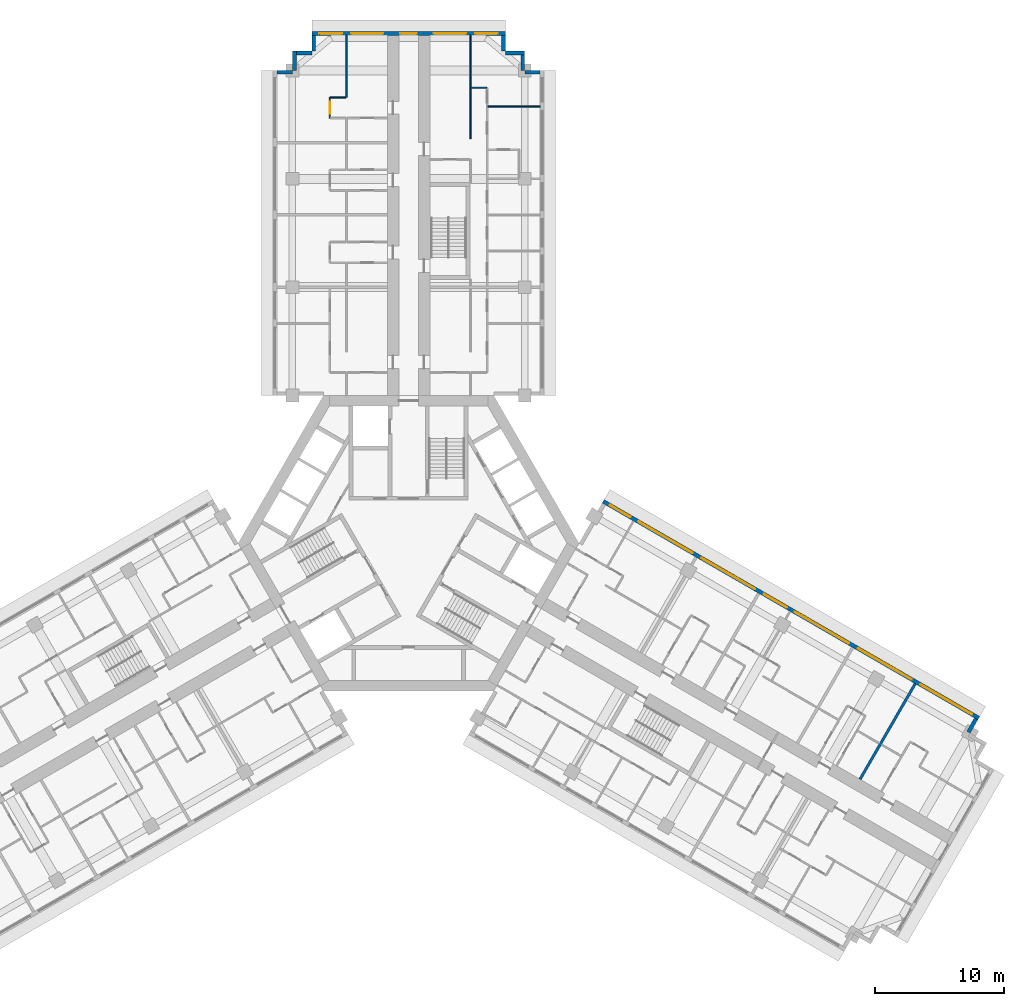
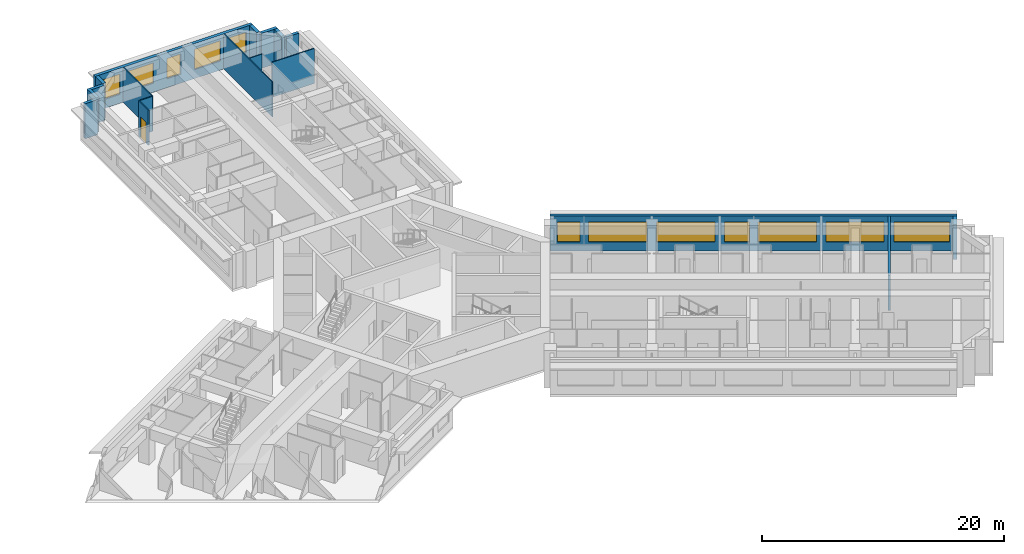
# One storey, part 13 of 15: 18 walls, 12 windows, 1 door, 13 openings.
"""IFC4 building model written with IfcOpenShell, lengths in metres."""

from ifc_helpers import new_model, si_unit, direction, frame, frame_2d, origin, place, context, subcontext, project, spatial, rectangle, extrude, material, layer, layer_set, type_object, element, fill, save


model = new_model("IFC4")

# Units and contexts
model_context = context("Model", 3, precision=1e-05, world=origin(), true_north=direction((0.0, 1.0)))
body_context = subcontext(model_context, "Body", "Model", "MODEL_VIEW")
ifc_project = project(units=[si_unit("LENGTHUNIT", "METRE"), si_unit("AREAUNIT", "SQUARE_METRE"), si_unit("VOLUMEUNIT", "CUBIC_METRE"), si_unit("PLANEANGLEUNIT", "RADIAN"), si_unit("MASSUNIT", "GRAM", prefix="KILO")], contexts=[model_context])

# Site, building, storey
site_placement = place(None, origin())
site = spatial("IfcSite", under=ifc_project, at=site_placement, CompositionType="ELEMENT")
building_placement = place(site_placement, origin())
building = spatial("IfcBuilding", under=site, at=building_placement, Name="Impinga Residences", CompositionType="ELEMENT")
storey_placement = place(building_placement, frame((0.0, 0.0, 113.5)))
storey = spatial("IfcBuildingStorey", under=building, at=storey_placement, Name="L27", CompositionType="ELEMENT", Elevation=113.5)

# Walls
ifc_material_1 = material(Name="Terracotta rainscreen on blockwork", Category="masonry")
ifc_layer_1 = layer(ifc_material_1, 0.300048828125)
ifc_layer_set_1 = layer_set([ifc_layer_1], Name="EW1 external wall, terracotta rainscreen on blockwork 300")
wall_type_1 = type_object("IfcWallType", Name="EW1 external wall, terracotta rainscreen on blockwork 300", PredefinedType="SOLIDWALL", material=ifc_layer_set_1)
wall_1_placement = place(storey_placement, frame((-10.199951171875, 36.4814453125, 0.0), z_axis=(0.0, 0.0, 1.0), x_axis=(1.0, 0.0, 0.0)))
element("IfcWall", 1, at=wall_1_placement, inside=storey, type_object=wall_type_1, Name="External wall EW1 L27", PredefinedType="SOLIDWALL", context=body_context, shape_type="SweptSolid", body=[
    extrude(rectangle(XDim=1.199951171875, YDim=0.300048828125, at=frame_2d((0.60009765625, 0.0))), origin(), (0.0, 0.0, 1.0), 3.530029296875),
])
wall_2_placement = place(storey_placement, frame((-8.85009765625, 36.636474609375, 0.0), z_axis=(0.0, 0.0, 1.0), x_axis=(0.0, 1.0, 0.0)))
element("IfcWall", 2, at=wall_2_placement, inside=storey, type_object=wall_type_1, Name="External wall EW1 L27", PredefinedType="SOLIDWALL", context=body_context, shape_type="SweptSolid", body=[
    extrude(rectangle(XDim=1.4951171875, YDim=0.300048828125, at=frame_2d((0.74755859375, 0.0))), origin(), (0.0, 0.0, 1.0), 3.530029296875),
])
wall_3_placement = place(storey_placement, frame((-8.699951171875, 37.9814453125, 0.0), z_axis=(0.0, 0.0, 1.0), x_axis=(1.0, 0.0, 0.0)))
element("IfcWall", 3, at=wall_3_placement, inside=storey, type_object=wall_type_1, Name="External wall EW1 L27", PredefinedType="SOLIDWALL", context=body_context, shape_type="SweptSolid", body=[
    extrude(rectangle(XDim=1.199951171875, YDim=0.300048828125, at=frame_2d((0.60009765625, 0.0))), origin(), (0.0, 0.0, 1.0), 3.530029296875),
])
wall_4_placement = place(storey_placement, frame((-7.35009765625, 38.136474609375, 0.0), z_axis=(0.0, 0.0, 1.0), x_axis=(0.0, 1.0, 0.0)))
element("IfcWall", 4, at=wall_4_placement, inside=storey, type_object=wall_type_1, Name="External wall EW1 L27", PredefinedType="SOLIDWALL", context=body_context, shape_type="SweptSolid", body=[
    extrude(rectangle(XDim=1.195068359375, YDim=0.300048828125, at=frame_2d((0.59765625, 0.0))), origin(), (0.0, 0.0, 1.0), 3.530029296875),
])

# Wall, openings, windows
wall_5_placement = place(storey_placement, frame((-7.5, 39.4814453125, 0.0), z_axis=(0.0, 0.0, 1.0), x_axis=(1.0, 0.0, 0.0)))
wall_5 = element("IfcWall", 5, at=wall_5_placement, inside=storey, type_object=wall_type_1, Name="External wall EW1 L27", PredefinedType="SOLIDWALL", context=body_context, shape_type="SweptSolid", body=[
    extrude(rectangle(XDim=15.0, YDim=0.300048828125, at=frame_2d((7.5, 0.0))), origin(), (0.0, 0.0, 1.0), 3.530029296875),
])
opening_1_placement = place(wall_5_placement, frame((0.60009765625, 0.0, 0.89990234375)))
opening_1 = element("IfcOpeningElement", 6, at=opening_1_placement, cuts=wall_5, Name="Opening W1", PredefinedType="OPENING", context=body_context, shape_type="SweptSolid", body=[
    extrude(rectangle(XDim=1.75, YDim=2.050048828125, at=frame_2d((0.875, 1.02490234375))), frame((0.0, 0.159912109375, 0.0), z_axis=(0.0, -1.0, 0.0), x_axis=(1.0, 0.0, 0.0)), (0.0, 0.0, 1.0), 0.320068359375),
])
opening_2_placement = place(wall_5_placement, frame((3.050048828125, 0.0, 0.89990234375)))
opening_2 = element("IfcOpeningElement", 7, at=opening_2_placement, cuts=wall_5, Name="Opening W2", PredefinedType="OPENING", context=body_context, shape_type="SweptSolid", body=[
    extrude(rectangle(XDim=2.5, YDim=2.050048828125, at=frame_2d((1.25, 1.02490234375))), frame((0.0, 0.159912109375, 0.0), z_axis=(0.0, -1.0, 0.0), x_axis=(1.0, 0.0, 0.0)), (0.0, 0.0, 1.0), 0.320068359375),
])
opening_3_placement = place(wall_5_placement, frame((6.85009765625, 0.0, 0.89990234375)))
opening_3 = element("IfcOpeningElement", 8, at=opening_3_placement, cuts=wall_5, Name="Opening WE1", PredefinedType="OPENING", context=body_context, shape_type="SweptSolid", body=[
    extrude(rectangle(XDim=1.300048828125, YDim=2.050048828125, at=frame_2d((0.64990234375, 1.02490234375))), frame((0.0, 0.159912109375, 0.0), z_axis=(0.0, -1.0, 0.0), x_axis=(1.0, 0.0, 0.0)), (0.0, 0.0, 1.0), 0.320068359375),
])
opening_4_placement = place(wall_5_placement, frame((9.449951171875, 0.0, 0.89990234375)))
opening_4 = element("IfcOpeningElement", 9, at=opening_4_placement, cuts=wall_5, Name="Opening W2", PredefinedType="OPENING", context=body_context, shape_type="SweptSolid", body=[
    extrude(rectangle(XDim=2.5, YDim=2.050048828125, at=frame_2d((1.25, 1.02490234375))), frame((0.0, 0.159912109375, 0.0), z_axis=(0.0, -1.0, 0.0), x_axis=(1.0, 0.0, 0.0)), (0.0, 0.0, 1.0), 0.320068359375),
])
opening_5_placement = place(wall_5_placement, frame((12.64990234375, 0.0, 0.89990234375)))
opening_5 = element("IfcOpeningElement", 10, at=opening_5_placement, cuts=wall_5, Name="Opening W1", PredefinedType="OPENING", context=body_context, shape_type="SweptSolid", body=[
    extrude(rectangle(XDim=1.75, YDim=2.050048828125, at=frame_2d((0.875, 1.02490234375))), frame((0.0, 0.159912109375, 0.0), z_axis=(0.0, -1.0, 0.0), x_axis=(1.0, 0.0, 0.0)), (0.0, 0.0, 1.0), 0.320068359375),
])
ifc_material_2 = material(Name="Aluminium window, clear double glazing", Category="aluminium")
window_type_1 = type_object("IfcWindowType", Name="W1 ribbon window 1750x2050", PartitioningType="SINGLE_PANEL", PredefinedType="WINDOW", material=ifc_material_2)
window_1_placement = place(opening_1_placement, origin())
window_1 = element("IfcWindow", 11, at=window_1_placement, inside=storey, type_object=window_type_1, Name="Window L27", OverallHeight=2.050048828125, OverallWidth=1.75, PartitioningType="SINGLE_PANEL", PredefinedType="WINDOW", context=body_context, shape_type="SweptSolid", body=[
    extrude(rectangle(XDim=1.75, YDim=2.050048828125, at=frame_2d((0.875, 1.02490234375))), frame((0.0, 0.030029296875, 0.0), z_axis=(0.0, -1.0, 0.0), x_axis=(1.0, 0.0, 0.0)), (0.0, 0.0, 1.0), 0.06005859375),
])
fill(opening_1, window_1)
window_2_placement = place(opening_5_placement, origin())
window_2 = element("IfcWindow", 12, at=window_2_placement, inside=storey, type_object=window_type_1, Name="Window L27", OverallHeight=2.050048828125, OverallWidth=1.75, PartitioningType="SINGLE_PANEL", PredefinedType="WINDOW", context=body_context, shape_type="SweptSolid", body=[
    extrude(rectangle(XDim=1.75, YDim=2.050048828125, at=frame_2d((0.875, 1.02490234375))), frame((0.0, 0.030029296875, 0.0), z_axis=(0.0, -1.0, 0.0), x_axis=(1.0, 0.0, 0.0)), (0.0, 0.0, 1.0), 0.06005859375),
])
fill(opening_5, window_2)
window_type_2 = type_object("IfcWindowType", Name="W2 ribbon window 2500x2050", PartitioningType="SINGLE_PANEL", PredefinedType="WINDOW", material=ifc_material_2)
window_3_placement = place(opening_2_placement, origin())
window_3 = element("IfcWindow", 13, at=window_3_placement, inside=storey, type_object=window_type_2, Name="Window L27", OverallHeight=2.050048828125, OverallWidth=2.5, PartitioningType="SINGLE_PANEL", PredefinedType="WINDOW", context=body_context, shape_type="SweptSolid", body=[
    extrude(rectangle(XDim=2.5, YDim=2.050048828125, at=frame_2d((1.25, 1.02490234375))), frame((0.0, 0.030029296875, 0.0), z_axis=(0.0, -1.0, 0.0), x_axis=(1.0, 0.0, 0.0)), (0.0, 0.0, 1.0), 0.06005859375),
])
fill(opening_2, window_3)
window_4_placement = place(opening_4_placement, origin())
window_4 = element("IfcWindow", 14, at=window_4_placement, inside=storey, type_object=window_type_2, Name="Window L27", OverallHeight=2.050048828125, OverallWidth=2.5, PartitioningType="SINGLE_PANEL", PredefinedType="WINDOW", context=body_context, shape_type="SweptSolid", body=[
    extrude(rectangle(XDim=2.5, YDim=2.050048828125, at=frame_2d((1.25, 1.02490234375))), frame((0.0, 0.030029296875, 0.0), z_axis=(0.0, -1.0, 0.0), x_axis=(1.0, 0.0, 0.0)), (0.0, 0.0, 1.0), 0.06005859375),
])
fill(opening_4, window_4)
window_type_3 = type_object("IfcWindowType", Name="WE1 corridor window 1300x2050", PartitioningType="SINGLE_PANEL", PredefinedType="WINDOW", material=ifc_material_2)
window_5_placement = place(opening_3_placement, origin())
window_5 = element("IfcWindow", 15, at=window_5_placement, inside=storey, type_object=window_type_3, Name="Window L27", OverallHeight=2.050048828125, OverallWidth=1.300048828125, PartitioningType="SINGLE_PANEL", PredefinedType="WINDOW", context=body_context, shape_type="SweptSolid", body=[
    extrude(rectangle(XDim=1.300048828125, YDim=2.050048828125, at=frame_2d((0.64990234375, 1.02490234375))), frame((0.0, 0.030029296875, 0.0), z_axis=(0.0, -1.0, 0.0), x_axis=(1.0, 0.0, 0.0)), (0.0, 0.0, 1.0), 0.06005859375),
])
fill(opening_3, window_5)

# Walls
wall_6_placement = place(storey_placement, frame((7.35009765625, 39.33154296875, 0.0), z_axis=(0.0, 0.0, 1.0), x_axis=(0.0, -1.0, 0.0)))
element("IfcWall", 16, at=wall_6_placement, inside=storey, type_object=wall_type_1, Name="External wall EW1 L27", PredefinedType="SOLIDWALL", context=body_context, shape_type="SweptSolid", body=[
    extrude(rectangle(XDim=1.195068359375, YDim=0.300048828125, at=frame_2d((0.59765625, 0.0))), origin(), (0.0, 0.0, 1.0), 3.530029296875),
])
wall_7_placement = place(storey_placement, frame((7.5, 37.9814453125, 0.0), z_axis=(0.0, 0.0, 1.0), x_axis=(1.0, 0.0, 0.0)))
element("IfcWall", 17, at=wall_7_placement, inside=storey, type_object=wall_type_1, Name="External wall EW1 L27", PredefinedType="SOLIDWALL", context=body_context, shape_type="SweptSolid", body=[
    extrude(rectangle(XDim=1.5, YDim=0.300048828125, at=frame_2d((0.75, 0.0))), origin(), (0.0, 0.0, 1.0), 3.530029296875),
])
wall_8_placement = place(storey_placement, frame((8.85009765625, 37.83154296875, 0.0), z_axis=(0.0, 0.0, 1.0), x_axis=(0.0, -1.0, 0.0)))
element("IfcWall", 18, at=wall_8_placement, inside=storey, type_object=wall_type_1, Name="External wall EW1 L27", PredefinedType="SOLIDWALL", context=body_context, shape_type="SweptSolid", body=[
    extrude(rectangle(XDim=1.199951171875, YDim=0.300048828125, at=frame_2d((0.60009765625, 0.0))), origin(), (0.0, 0.0, 1.0), 3.530029296875),
])
wall_9_placement = place(storey_placement, frame((9.0048828125, 36.4814453125, 0.0), z_axis=(0.0, 0.0, 1.0), x_axis=(1.0, 0.0, 0.0)))
element("IfcWall", 19, at=wall_9_placement, inside=storey, type_object=wall_type_1, Name="External wall EW1 L27", PredefinedType="SOLIDWALL", context=body_context, shape_type="SweptSolid", body=[
    extrude(rectangle(XDim=1.195068359375, YDim=0.300048828125, at=frame_2d((0.59765625, 0.0))), origin(), (0.0, 0.0, 1.0), 3.530029296875),
])

# Wall, openings, windows
wall_10_placement = place(storey_placement, frame((15.074951171875, 3.24755859375, 0.0), z_axis=(0.0, 0.0, 1.0), x_axis=(0.866024291668, -0.500001926238, 0.0)))
wall_10 = element("IfcWall", 20, at=wall_10_placement, inside=storey, type_object=wall_type_1, Name="External wall EW1 L27", PredefinedType="SOLIDWALL", context=body_context, shape_type="SweptSolid", body=[
    extrude(rectangle(XDim=33.599853515625, YDim=0.300048828125, at=frame_2d((16.7998046875, 0.0))), origin(), (0.0, 0.0, 1.0), 3.530029296875),
])
opening_6_placement = place(wall_10_placement, frame((0.60009765625, 0.0, 0.89990234375)))
opening_6 = element("IfcOpeningElement", 21, at=opening_6_placement, cuts=wall_10, Name="Opening W15", PredefinedType="OPENING", context=body_context, shape_type="SweptSolid", body=[
    extrude(rectangle(XDim=1.85009765625, YDim=2.050048828125, at=frame_2d((0.925048828125, 1.02490234375))), frame((0.0, 0.159912109375, 0.0), z_axis=(0.0, -1.0, 0.0), x_axis=(1.0, 0.0, 0.0)), (0.0, 0.0, 1.0), 0.320068359375),
])
opening_7_placement = place(wall_10_placement, frame((3.14990234375, 0.0, 0.89990234375)))
opening_7 = element("IfcOpeningElement", 22, at=opening_7_placement, cuts=wall_10, Name="Opening W6", PredefinedType="OPENING", context=body_context, shape_type="SweptSolid", body=[
    extrude(rectangle(XDim=4.85009765625, YDim=2.050048828125, at=frame_2d((2.425048828125, 1.02490234375))), frame((0.0, 0.159912109375, 0.0), z_axis=(0.0, -1.0, 0.0), x_axis=(1.0, 0.0, 0.0)), (0.0, 0.0, 1.0), 0.320068359375),
])
opening_8_placement = place(wall_10_placement, frame((8.800048828125, 0.0, 0.89990234375)))
opening_8 = element("IfcOpeningElement", 23, at=opening_8_placement, cuts=wall_10, Name="Opening W8", PredefinedType="OPENING", context=body_context, shape_type="SweptSolid", body=[
    extrude(rectangle(XDim=4.800048828125, YDim=2.050048828125, at=frame_2d((2.39990234375, 1.02490234375))), frame((0.0, 0.159912109375, 0.0), z_axis=(0.0, -1.0, 0.0), x_axis=(1.0, 0.0, 0.0)), (0.0, 0.0, 1.0), 0.320068359375),
])
opening_9_placement = place(wall_10_placement, frame((14.39990234375, 0.0, 0.89990234375)))
opening_9 = element("IfcOpeningElement", 24, at=opening_9_placement, cuts=wall_10, Name="Opening W14", PredefinedType="OPENING", context=body_context, shape_type="SweptSolid", body=[
    extrude(rectangle(XDim=2.050048828125, YDim=2.050048828125, at=frame_2d((1.02490234375, 1.02490234375))), frame((0.0, 0.159912109375, 0.0), z_axis=(0.0, -1.0, 0.0), x_axis=(1.0, 0.0, 0.0)), (0.0, 0.0, 1.0), 0.320068359375),
])
opening_10_placement = place(wall_10_placement, frame((17.14990234375, 0.0, 0.89990234375)))
opening_10 = element("IfcOpeningElement", 25, at=opening_10_placement, cuts=wall_10, Name="Opening W6", PredefinedType="OPENING", context=body_context, shape_type="SweptSolid", body=[
    extrude(rectangle(XDim=4.85009765625, YDim=2.050048828125, at=frame_2d((2.425048828125, 1.02490234375))), frame((0.0, 0.159912109375, 0.0), z_axis=(0.0, -1.0, 0.0), x_axis=(1.0, 0.0, 0.0)), (0.0, 0.0, 1.0), 0.320068359375),
])
opening_11_placement = place(wall_10_placement, frame((22.800048828125, 0.0, 0.89990234375)))
opening_11 = element("IfcOpeningElement", 26, at=opening_11_placement, cuts=wall_10, Name="Opening W8", PredefinedType="OPENING", context=body_context, shape_type="SweptSolid", body=[
    extrude(rectangle(XDim=4.800048828125, YDim=2.050048828125, at=frame_2d((2.39990234375, 1.02490234375))), frame((0.0, 0.159912109375, 0.0), z_axis=(0.0, -1.0, 0.0), x_axis=(1.0, 0.0, 0.0)), (0.0, 0.0, 1.0), 0.320068359375),
])
opening_12_placement = place(wall_10_placement, frame((28.39990234375, 0.0, 0.89990234375)))
opening_12 = element("IfcOpeningElement", 27, at=opening_12_placement, cuts=wall_10, Name="Opening W3", PredefinedType="OPENING", context=body_context, shape_type="SweptSolid", body=[
    extrude(rectangle(XDim=4.60009765625, YDim=2.050048828125, at=frame_2d((2.300048828125, 1.02490234375))), frame((0.0, 0.159912109375, 0.0), z_axis=(0.0, -1.0, 0.0), x_axis=(1.0, 0.0, 0.0)), (0.0, 0.0, 1.0), 0.320068359375),
])
window_type_4 = type_object("IfcWindowType", Name="W14 ribbon window 2050x2050", PartitioningType="SINGLE_PANEL", PredefinedType="WINDOW", material=ifc_material_2)
window_6_placement = place(opening_9_placement, origin())
window_6 = element("IfcWindow", 28, at=window_6_placement, inside=storey, type_object=window_type_4, Name="Window L27", OverallHeight=2.050048828125, OverallWidth=2.050048828125, PartitioningType="SINGLE_PANEL", PredefinedType="WINDOW", context=body_context, shape_type="SweptSolid", body=[
    extrude(rectangle(XDim=2.050048828125, YDim=2.050048828125, at=frame_2d((1.02490234375, 1.02490234375))), frame((0.0, 0.030029296875, 0.0), z_axis=(0.0, -1.0, 0.0), x_axis=(1.0, 0.0, 0.0)), (0.0, 0.0, 1.0), 0.06005859375),
])
fill(opening_9, window_6)
window_type_5 = type_object("IfcWindowType", Name="W15 ribbon window 1850x2050", PartitioningType="SINGLE_PANEL", PredefinedType="WINDOW", material=ifc_material_2)
window_7_placement = place(opening_6_placement, origin())
window_7 = element("IfcWindow", 29, at=window_7_placement, inside=storey, type_object=window_type_5, Name="Window L27", OverallHeight=2.050048828125, OverallWidth=1.85009765625, PartitioningType="SINGLE_PANEL", PredefinedType="WINDOW", context=body_context, shape_type="SweptSolid", body=[
    extrude(rectangle(XDim=1.85009765625, YDim=2.050048828125, at=frame_2d((0.925048828125, 1.02490234375))), frame((0.0, 0.030029296875, 0.0), z_axis=(0.0, -1.0, 0.0), x_axis=(1.0, 0.0, 0.0)), (0.0, 0.0, 1.0), 0.06005859375),
])
fill(opening_6, window_7)
window_type_6 = type_object("IfcWindowType", Name="W3 ribbon window 4600x2050", PartitioningType="SINGLE_PANEL", PredefinedType="WINDOW", material=ifc_material_2)
window_8_placement = place(opening_12_placement, origin())
window_8 = element("IfcWindow", 30, at=window_8_placement, inside=storey, type_object=window_type_6, Name="Window L27", OverallHeight=2.050048828125, OverallWidth=4.60009765625, PartitioningType="SINGLE_PANEL", PredefinedType="WINDOW", context=body_context, shape_type="SweptSolid", body=[
    extrude(rectangle(XDim=4.60009765625, YDim=2.050048828125, at=frame_2d((2.300048828125, 1.02490234375))), frame((0.0, 0.030029296875, 0.0), z_axis=(0.0, -1.0, 0.0), x_axis=(1.0, 0.0, 0.0)), (0.0, 0.0, 1.0), 0.06005859375),
])
fill(opening_12, window_8)
window_type_7 = type_object("IfcWindowType", Name="W6 ribbon window 4850x2050", PartitioningType="SINGLE_PANEL", PredefinedType="WINDOW", material=ifc_material_2)
window_9_placement = place(opening_7_placement, origin())
window_9 = element("IfcWindow", 31, at=window_9_placement, inside=storey, type_object=window_type_7, Name="Window L27", OverallHeight=2.050048828125, OverallWidth=4.85009765625, PartitioningType="SINGLE_PANEL", PredefinedType="WINDOW", context=body_context, shape_type="SweptSolid", body=[
    extrude(rectangle(XDim=4.85009765625, YDim=2.050048828125, at=frame_2d((2.425048828125, 1.02490234375))), frame((0.0, 0.030029296875, 0.0), z_axis=(0.0, -1.0, 0.0), x_axis=(1.0, 0.0, 0.0)), (0.0, 0.0, 1.0), 0.06005859375),
])
fill(opening_7, window_9)
window_10_placement = place(opening_10_placement, origin())
window_10 = element("IfcWindow", 32, at=window_10_placement, inside=storey, type_object=window_type_7, Name="Window L27", OverallHeight=2.050048828125, OverallWidth=4.85009765625, PartitioningType="SINGLE_PANEL", PredefinedType="WINDOW", context=body_context, shape_type="SweptSolid", body=[
    extrude(rectangle(XDim=4.85009765625, YDim=2.050048828125, at=frame_2d((2.425048828125, 1.02490234375))), frame((0.0, 0.030029296875, 0.0), z_axis=(0.0, -1.0, 0.0), x_axis=(1.0, 0.0, 0.0)), (0.0, 0.0, 1.0), 0.06005859375),
])
fill(opening_10, window_10)
window_type_8 = type_object("IfcWindowType", Name="W8 ribbon window 4800x2050", PartitioningType="SINGLE_PANEL", PredefinedType="WINDOW", material=ifc_material_2)
window_11_placement = place(opening_8_placement, origin())
window_11 = element("IfcWindow", 33, at=window_11_placement, inside=storey, type_object=window_type_8, Name="Window L27", OverallHeight=2.050048828125, OverallWidth=4.800048828125, PartitioningType="SINGLE_PANEL", PredefinedType="WINDOW", context=body_context, shape_type="SweptSolid", body=[
    extrude(rectangle(XDim=4.800048828125, YDim=2.050048828125, at=frame_2d((2.39990234375, 1.02490234375))), frame((0.0, 0.030029296875, 0.0), z_axis=(0.0, -1.0, 0.0), x_axis=(1.0, 0.0, 0.0)), (0.0, 0.0, 1.0), 0.06005859375),
])
fill(opening_8, window_11)
window_12_placement = place(opening_11_placement, origin())
window_12 = element("IfcWindow", 34, at=window_12_placement, inside=storey, type_object=window_type_8, Name="Window L27", OverallHeight=2.050048828125, OverallWidth=4.800048828125, PartitioningType="SINGLE_PANEL", PredefinedType="WINDOW", context=body_context, shape_type="SweptSolid", body=[
    extrude(rectangle(XDim=4.800048828125, YDim=2.050048828125, at=frame_2d((2.39990234375, 1.02490234375))), frame((0.0, 0.030029296875, 0.0), z_axis=(0.0, -1.0, 0.0), x_axis=(1.0, 0.0, 0.0)), (0.0, 0.0, 1.0), 0.06005859375),
])
fill(opening_11, window_12)

# Walls
wall_11_placement = place(storey_placement, frame((43.968505859375, -13.607421875, 0.0), z_axis=(0.0, 0.0, 1.0), x_axis=(-0.500029051137, -0.866008630453, 0.0)))
element("IfcWall", 35, at=wall_11_placement, inside=storey, type_object=wall_type_1, Name="External wall EW1 L27", PredefinedType="SOLIDWALL", context=body_context, shape_type="SweptSolid", body=[
    extrude(rectangle(XDim=1.19482421875, YDim=0.300048828125, at=frame_2d((0.597412109375, 0.0))), origin(), (0.0, 0.0, 1.0), 3.530029296875),
])
ifc_material_3 = material(Name="Gypsum board on steel studs", Category="steel")
ifc_layer_2 = layer(ifc_material_3, 0.10009765625)
ifc_layer_set_2 = layer_set([ifc_layer_2], Name="Gypsum board on steel studs")
wall_type_2 = type_object("IfcWallType", Name="IP1 partition 100", PredefinedType="PARTITIONING", material=ifc_layer_set_2)
wall_12_placement = place(storey_placement, frame((-4.800048828125, 34.531494140625, 0.0), z_axis=(0.0, 0.0, 1.0), x_axis=(0.0, 1.0, 0.0)))
element("IfcWall", 36, at=wall_12_placement, inside=storey, type_object=wall_type_2, Name="Partition L27-NA4:DIV1", PredefinedType="PARTITIONING", context=body_context, shape_type="SweptSolid", body=[
    extrude(rectangle(XDim=4.800048828125, YDim=0.10009765625, at=frame_2d((2.39990234375, 0.0))), origin(), (0.0, 0.0, 1.0), 3.530029296875),
])

# Wall, opening, door
wall_13_placement = place(storey_placement, frame((-6.10009765625, 32.931640625, 0.0), z_axis=(0.0, 0.0, 1.0), x_axis=(0.0, 1.0, 0.0)))
wall_13 = element("IfcWall", 37, at=wall_13_placement, inside=storey, type_object=wall_type_2, Name="Partition L27-NA4:STRIP", PredefinedType="PARTITIONING", context=body_context, shape_type="SweptSolid", body=[
    extrude(rectangle(XDim=1.599853515625, YDim=0.10009765625, at=frame_2d((0.7998046875, 0.0))), origin(), (0.0, 0.0, 1.0), 3.530029296875),
])
opening_13_placement = place(wall_13_placement, frame((0.35009765625, 0.0, 0.0)))
opening_13 = element("IfcOpeningElement", 38, at=opening_13_placement, cuts=wall_13, Name="Opening D2", PredefinedType="OPENING", context=body_context, shape_type="SweptSolid", body=[
    extrude(rectangle(XDim=0.89990234375, YDim=2.10009765625, at=frame_2d((0.449951171875, 1.050048828125))), frame((0.0, 0.06005859375, 0.0), z_axis=(0.0, -1.0, 0.0), x_axis=(1.0, 0.0, 0.0)), (0.0, 0.0, 1.0), 0.1201171875),
])
ifc_material_4 = material(Name="Timber door set", Category="wood")
door_type = type_object("IfcDoorType", Name="D2 internal door 900x2100", OperationType="SINGLE_SWING_LEFT", PredefinedType="DOOR", material=ifc_material_4)
door_placement = place(opening_13_placement, origin())
door = element("IfcDoor", 39, at=door_placement, inside=storey, type_object=door_type, Name="Apartment L27-NA4 room door", OperationType="SINGLE_SWING_LEFT", OverallHeight=2.10009765625, OverallWidth=0.89990234375, PredefinedType="DOOR", context=body_context, shape_type="SweptSolid", body=[
    extrude(rectangle(XDim=0.89990234375, YDim=2.10009765625, at=frame_2d((0.449951171875, 1.050048828125))), frame((0.0, 0.02490234375, 0.0), z_axis=(0.0, -1.0, 0.0), x_axis=(1.0, 0.0, 0.0)), (0.0, 0.0, 1.0), 0.050048828125),
])
fill(opening_13, door)

# Walls
wall_14_placement = place(storey_placement, frame((-4.85009765625, 34.531494140625, 0.0), z_axis=(0.0, 0.0, 1.0), x_axis=(-1.0, 0.0, 0.0)))
element("IfcWall", 40, at=wall_14_placement, inside=storey, type_object=wall_type_2, Name="Partition L27-NA4:SE1", PredefinedType="PARTITIONING", context=body_context, shape_type="SweptSolid", body=[
    extrude(rectangle(XDim=1.199951171875, YDim=0.10009765625, at=frame_2d((0.60009765625, 0.0))), origin(), (0.0, 0.0, 1.0), 3.530029296875),
])
wall_15_placement = place(storey_placement, frame((4.800048828125, 31.33154296875, 0.0), z_axis=(0.0, 0.0, 1.0), x_axis=(0.0, 1.0, 0.0)))
element("IfcWall", 41, at=wall_15_placement, inside=storey, type_object=wall_type_2, Name="Partition L27-NF2:DIV2", PredefinedType="PARTITIONING", context=body_context, shape_type="SweptSolid", body=[
    extrude(rectangle(XDim=8.0, YDim=0.10009765625, at=frame_2d((4.0, 0.0))), origin(), (0.0, 0.0, 1.0), 3.530029296875),
])
wall_16_placement = place(storey_placement, frame((4.85009765625, 35.281494140625, 0.0), z_axis=(0.0, 0.0, 1.0), x_axis=(1.0, 0.0, 0.0)))
element("IfcWall", 42, at=wall_16_placement, inside=storey, type_object=wall_type_2, Name="Partition L27-NF2:SE1", PredefinedType="PARTITIONING", context=body_context, shape_type="SweptSolid", body=[
    extrude(rectangle(XDim=1.199951171875, YDim=0.10009765625, at=frame_2d((0.60009765625, 0.0))), origin(), (0.0, 0.0, 1.0), 3.530029296875),
])
wall_17_placement = place(storey_placement, frame((6.14990234375, 33.83154296875, 0.0), z_axis=(0.0, 0.0, 1.0), x_axis=(1.0, 0.0, 0.0)))
element("IfcWall", 43, at=wall_17_placement, inside=storey, type_object=wall_type_2, Name="Partition L27-NF2:OB4", PredefinedType="PARTITIONING", context=body_context, shape_type="SweptSolid", body=[
    extrude(rectangle(XDim=4.050048828125, YDim=0.10009765625, at=frame_2d((2.02490234375, 0.0))), origin(), (0.0, 0.0, 1.0), 3.530029296875),
])
ifc_material_5 = material(Name="Concrete blockwork", Category="masonry")
ifc_layer_3 = layer(ifc_material_5, 0.199951171875)
ifc_layer_set_3 = layer_set([ifc_layer_3], Name="PW1 party wall between apartments 200")
wall_type_3 = type_object("IfcWallType", Name="PW1 party wall between apartments 200", PredefinedType="SOLIDWALL", material=ifc_layer_set_3)
wall_18_placement = place(storey_placement, frame((34.9736328125, -18.286865234375, 0.0), z_axis=(0.0, 0.0, 1.0), x_axis=(0.500011643316, 0.866018681408, 0.0)))
element("IfcWall", 44, at=wall_18_placement, inside=storey, type_object=wall_type_3, Name="Party wall between apartments L27-EA4:PARTY", PredefinedType="SOLIDWALL", context=body_context, shape_type="SweptSolid", body=[
    extrude(rectangle(XDim=8.550048828125, YDim=0.199951171875, at=frame_2d((4.27490234375, 0.0))), origin(), (0.0, 0.0, 1.0), 3.530029296875),
])

save(model, "model.ifc")
